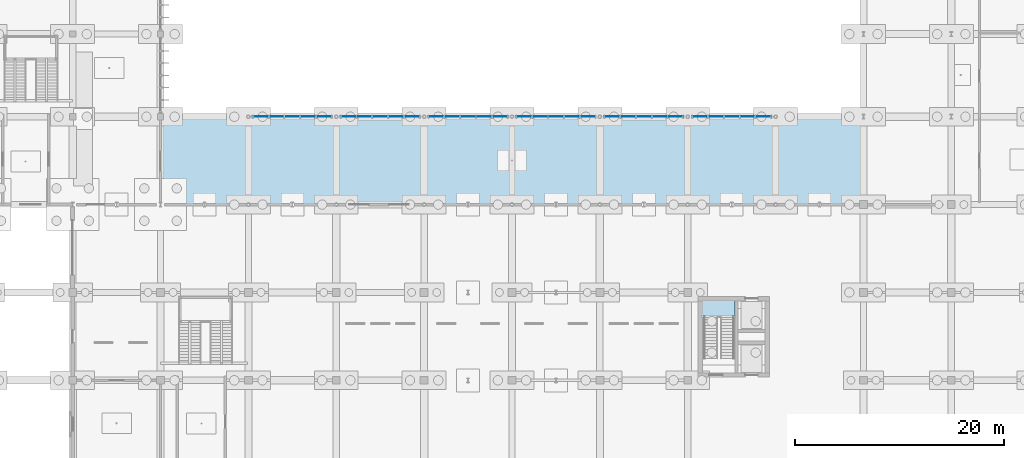
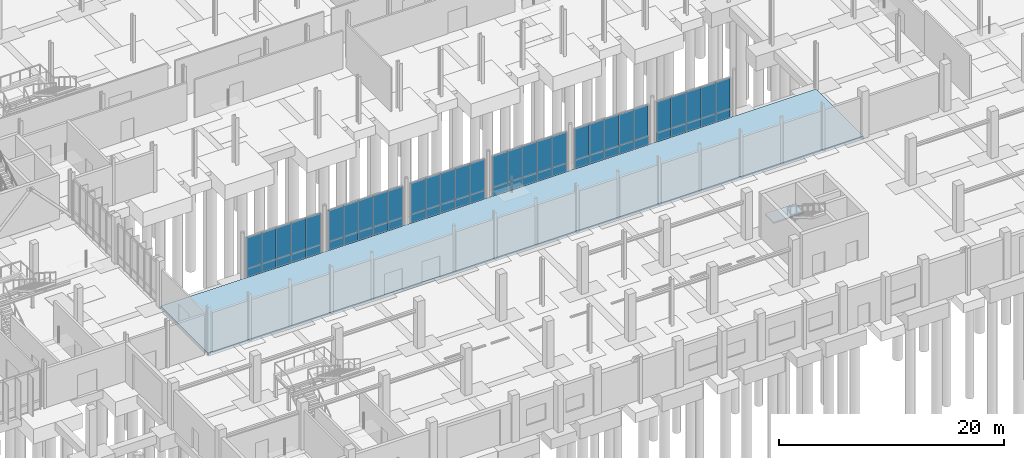
# One storey, part 68 of 119: 60 plates, 2 slabs, 7 elements without a shape of their own.
"""IFC4 building model written with IfcOpenShell, lengths in metres."""

import ifcopenshell
import ifcopenshell.guid

model = None  # the IFC model being written
_history = None  # IfcOwnerHistory: only IFC2X3 demands one
_inside = {}  # id of a spatial element -> (the spatial element, [elements in it])
_under = {}  # id of a project, library or spatial element -> (it, [spatial elements below it])
_declared = {}  # id of a project -> (the project, [libraries it declares])
_typed = {}  # id of a type object -> (the type object, [elements of that type])
_made_of = {}  # id of a material, layer set ... -> (it, [elements and type objects made of it])


def new_model(schema):
    """Start an empty IFC model of exactly this schema.

    Asked for "IFC4X3", IfcOpenShell would pick the latest addendum, in which some entities
    have other attributes; the version numbers below select the first issue.
    IFC2X3 requires an IfcOwnerHistory on every rooted entity: one is made here for all.
    """
    global model, _history
    if schema == "IFC4X3":
        model = ifcopenshell.file(schema_version=(4, 3, 0, 0))
    else:
        model = ifcopenshell.file(schema=schema)
    _inside.clear()
    _under.clear()
    _declared.clear()
    _typed.clear()
    _made_of.clear()
    _history = None
    if model.schema == "IFC2X3":
        org = make("IfcOrganization", Name="unknown")
        user = make(
            "IfcPersonAndOrganization",
            ThePerson=make("IfcPerson", FamilyName="unknown"),
            TheOrganization=org,
        )
        app = make(
            "IfcApplication",
            ApplicationDeveloper=org,
            Version="unknown",
            ApplicationFullName="unknown",
            ApplicationIdentifier="unknown",
        )
        _history = make(
            "IfcOwnerHistory",
            OwningUser=user,
            OwningApplication=app,
            ChangeAction="ADDED",
            CreationDate=0,
        )
    return model


def make(cls, **values):
    """One entity of the class cls with the attributes given. An attribute that is None is left unset."""
    return model.create_entity(
        cls, **{name: value for name, value in values.items() if value is not None}
    )


def rooted(cls, **values):
    """An entity with a GlobalId (a new one), such as an element, a storey or a relation."""
    return make(cls, GlobalId=ifcopenshell.guid.new(), OwnerHistory=_history, **values)


def si_unit(unit_type, name, prefix=None):
    """IfcSIUnit, for example si_unit("LENGTHUNIT", "METRE", prefix="MILLI")."""
    return make("IfcSIUnit", UnitType=unit_type, Prefix=prefix, Name=name)


def derived_unit(unit_type, elements):
    """IfcDerivedUnit: a product of units, each with its exponent."""
    return make(
        "IfcDerivedUnit",
        Elements=[
            make("IfcDerivedUnitElement", Unit=unit, Exponent=power)
            for unit, power in elements
        ],
        UnitType=unit_type,
    )


def assignment(units):
    """IfcUnitAssignment: the units of a project."""
    return None if units is None else make("IfcUnitAssignment", Units=units)


def point(xyz):
    """IfcCartesianPoint."""
    return None if xyz is None else make("IfcCartesianPoint", Coordinates=xyz)


def direction(xyz):
    """IfcDirection."""
    return None if xyz is None else make("IfcDirection", DirectionRatios=xyz)


def frame(location, z_axis=None, x_axis=None):
    """IfcAxis2Placement3D, a coordinate frame: its origin and axes. An axis left out is left unset."""
    return make(
        "IfcAxis2Placement3D",
        Location=point(location),
        Axis=direction(z_axis),
        RefDirection=direction(x_axis),
    )


def frame_2d(location, x_axis=None):
    """IfcAxis2Placement2D, a coordinate frame in the plane: its origin and x axis."""
    return make(
        "IfcAxis2Placement2D", Location=point(location), RefDirection=direction(x_axis)
    )


def origin():
    """The frame at (0, 0, 0) with its axes left unset."""
    return frame((0.0, 0.0, 0.0))


def origin_2d():
    """The frame at (0, 0) in the plane with its x axis left unset."""
    return frame_2d((0.0, 0.0))


def place(relative_to, where):
    """IfcLocalPlacement: puts the frame where relative to a parent placement (None: the world)."""
    return make(
        "IfcLocalPlacement", PlacementRelTo=relative_to, RelativePlacement=where
    )


def context(
    kind, dimensions, precision=None, world=None, true_north=None, identifier=None
):
    """IfcGeometricRepresentationContext, for example the 3D "Model" context."""
    return make(
        "IfcGeometricRepresentationContext",
        ContextIdentifier=identifier,
        ContextType=kind,
        CoordinateSpaceDimension=dimensions,
        Precision=precision,
        WorldCoordinateSystem=world,
        TrueNorth=true_north,
    )


def subcontext(parent, identifier, kind, view, scale=None):
    """IfcGeometricRepresentationSubContext, for example "Body" below "Model"."""
    return make(
        "IfcGeometricRepresentationSubContext",
        ContextIdentifier=identifier,
        ContextType=kind,
        ParentContext=parent,
        TargetScale=scale,
        TargetView=view,
    )


def project(units=None, contexts=None):
    """IfcProject with its units and contexts."""
    return rooted(
        "IfcProject",
        Name="project",
        RepresentationContexts=contexts,
        UnitsInContext=assignment(units),
    )


def spatial(cls, under=None, at=None, **own):
    """A site, building, storey or space (cls), placed at a placement, below another one or the project."""
    s = rooted(cls, ObjectPlacement=at, **own)
    if under is not None:
        _under.setdefault(under.id(), (under, []))[1].append(s)
    return s


def polyline(points):
    """IfcPolyline through the points."""
    return make("IfcPolyline", Points=[point(p) for p in points])


def profile(cls, at=None, kind="AREA", **sizes):
    """A parametric profile (cls). Its sizes go by their IFC names, for example OverallWidth=200.0."""
    return make(cls, ProfileType=kind, Position=at, **sizes)


def rectangle(**sizes):
    """IfcRectangleProfileDef."""
    return profile("IfcRectangleProfileDef", **sizes)


def outline(outer, holes=None, kind="AREA"):
    """IfcArbitraryClosedProfileDef: a profile drawn as a closed curve; with holes, ...WithVoids."""
    if holes is None:
        return make("IfcArbitraryClosedProfileDef", ProfileType=kind, OuterCurve=outer)
    return make(
        "IfcArbitraryProfileDefWithVoids",
        ProfileType=kind,
        OuterCurve=outer,
        InnerCurves=holes,
    )


def extrude(swept, where, along, depth):
    """IfcExtrudedAreaSolid: the profile swept, set in the frame where, extruded along a direction by depth."""
    return make(
        "IfcExtrudedAreaSolid",
        SweptArea=swept,
        Position=where,
        ExtrudedDirection=direction(along),
        Depth=depth,
    )


def shape(context_of_items, identifier, shape_type, items):
    """IfcShapeRepresentation: the items that make up one representation, for example the "Body"."""
    return make(
        "IfcShapeRepresentation",
        ContextOfItems=context_of_items,
        RepresentationIdentifier=identifier,
        RepresentationType=shape_type,
        Items=items,
    )


def material(Name=None, Category=None):
    """IfcMaterial."""
    return make("IfcMaterial", Name=Name, Category=Category)


def layer(
    of_material, thickness, ventilated=None, Name=None, Category=None, Priority=None
):
    """IfcMaterialLayer: one layer of a wall or slab, of a material (None: an air gap)."""
    return make(
        "IfcMaterialLayer",
        Material=of_material,
        LayerThickness=thickness,
        IsVentilated=ventilated,
        Name=Name,
        Category=Category,
        Priority=Priority,
    )


def layer_set(layers, Name=None):
    """IfcMaterialLayerSet."""
    return make("IfcMaterialLayerSet", MaterialLayers=layers, LayerSetName=Name)


def made_of(thing, what):
    """Note that an element or type object is made of a material, layer set ...; save() writes the relation."""
    if what is not None:
        _made_of.setdefault(what.id(), (what, []))[1].append(thing)
    return thing


def type_object(cls, material=None, **own):
    """A type object (cls), such as IfcWallType, which elements share."""
    return made_of(rooted(cls, **own), material)


def element(
    cls,
    number,
    at=None,
    inside=None,
    cuts=None,
    type_object=None,
    material=None,
    context=None,
    identifier="Body",
    shape_type=None,
    held_by="IfcProductDefinitionShape",
    body=None,
    shapes=None,
    **own,
):
    """One element of the class cls, such as IfcWall. Its Tag is "e" and its number.

    at: its placement. inside: the storey or other place that contains it. cuts: it is an
    opening in that element (IfcRelVoidsElement). A single representation is given by context,
    identifier, shape_type and body (its items); several are given by shapes. held_by: the class
    of the entity that holds the representations. save() writes the other relations.
    """
    e = rooted(cls, Tag="e%d" % number, ObjectPlacement=at, **own)
    if body is not None:
        shapes = [shape(context, identifier, shape_type, body)]
    if shapes is not None:
        e.Representation = make(held_by, Representations=shapes)
    if inside is not None:
        _inside.setdefault(inside.id(), (inside, []))[1].append(e)
    if cuts is not None:
        rooted(
            "IfcRelVoidsElement", RelatingBuildingElement=cuts, RelatedOpeningElement=e
        )
    if type_object is not None:
        _typed.setdefault(type_object.id(), (type_object, []))[1].append(e)
    return made_of(e, material)


def aggregate(whole, parts):
    """IfcRelAggregates: a whole, such as a stair, and the parts it consists of."""
    return rooted("IfcRelAggregates", RelatingObject=whole, RelatedObjects=parts)


def save(model, path):
    """Write the relations noted so far, then the file.

    IfcRelAggregates (storeys below a building ...), IfcRelContainedInSpatialStructure (elements
    in a storey), IfcRelDefinesByType, IfcRelAssociatesMaterial and IfcRelDeclares: one each for
    every whole, place, type object, material and project.
    """
    for whole, parts in _under.values():
        aggregate(whole, parts)
    for where, things in _inside.values():
        rooted(
            "IfcRelContainedInSpatialStructure",
            RelatedElements=things,
            RelatingStructure=where,
        )
    for kind, things in _typed.values():
        rooted("IfcRelDefinesByType", RelatedObjects=things, RelatingType=kind)
    for what, things in _made_of.values():
        rooted("IfcRelAssociatesMaterial", RelatedObjects=things, RelatingMaterial=what)
    for by, libraries in _declared.values():
        rooted("IfcRelDeclares", RelatingContext=by, RelatedDefinitions=libraries)
    model.write(path)


model = new_model("IFC4")

# Units and contexts
model_context = context("Model", 3, precision=1e-05, world=origin(), true_north=direction((0.0, 1.0)))
body_context = subcontext(model_context, "Body", "Model", "MODEL_VIEW")
ifc_project = project(units=[si_unit("LENGTHUNIT", "METRE"), si_unit("AREAUNIT", "SQUARE_METRE"), si_unit("VOLUMEUNIT", "CUBIC_METRE"), si_unit("PLANEANGLEUNIT", "RADIAN"), si_unit("MASSUNIT", "GRAM", prefix="KILO"), derived_unit("THERMALTRANSMITTANCEUNIT", [(si_unit("MASSUNIT", "GRAM", prefix="KILO"), 1), (si_unit("TIMEUNIT", "SECOND"), -3), (si_unit("THERMODYNAMICTEMPERATUREUNIT", "KELVIN"), -1)])], contexts=[model_context])

# Site, building, storey
site_placement = place(None, origin())
site = spatial("IfcSite", under=ifc_project, at=site_placement, CompositionType="ELEMENT")
building_placement = place(site_placement, origin())
building = spatial("IfcBuilding", under=site, at=building_placement, Name="Makaiwela Harbour Ferry Terminal", CompositionType="ELEMENT")
storey_placement = place(building_placement, origin())
storey = spatial("IfcBuildingStorey", under=building, at=storey_placement, Name="L00", CompositionType="ELEMENT", Elevation=0.0)

# Curtain wall, plates
ifc_material_1 = material(Name="Marine anodised aluminium 6063-T6", Category="aluminium")
ifc_layer_1 = layer(ifc_material_1, 0.199951171875)
ifc_layer_set_1 = layer_set([ifc_layer_1], Name="Marine anodised aluminium 6063-T6")
curtain_wall_type = type_object("IfcCurtainWallType", Name="ENV-CW-10", PredefinedType="USERDEFINED", material=ifc_layer_set_1)
curtain_wall_1_placement = place(storey_placement, origin())
curtain_wall_1 = element("IfcCurtainWall", 1, at=curtain_wall_1_placement, inside=storey, type_object=curtain_wall_type, Name="Unitised Curtain Wall CWA-140", ObjectType="UNITIZED CURTAIN WALL", PredefinedType="USERDEFINED")
ifc_material_2 = material(Name="Laminated hurricane-impact low-E insulated glazing", Category="glass")
ifc_layer_2 = layer(ifc_material_2, 0.031982421875)
ifc_layer_set_2 = layer_set([ifc_layer_2], Name="Laminated hurricane-impact low-E insulated glazing")
plate_type_1 = type_object("IfcPlateType", Name="CW-PNL-G31", PredefinedType="CURTAIN_PANEL", material=ifc_layer_set_2)
plate_1_placement = place(storey_placement, frame((87.02392578125, 33.60009765625, 0.949951171875), z_axis=(0.0, 0.0, 1.0), x_axis=(-1.0, 0.0, 0.0)))
plate_1 = element("IfcPlate", 2, at=plate_1_placement, type_object=plate_type_1, Name="Glazed Vision Panel CWA-140-1G", PredefinedType="CURTAIN_PANEL", context=body_context, shape_type="SweptSolid", body=[
    extrude(rectangle(XDim=1.511962890625, YDim=0.031982421875, at=origin_2d()), origin(), (0.0, 0.0, 1.0), 3.39990234375),
])
plate_2_placement = place(storey_placement, frame((85.511962890625, 33.60009765625, 0.949951171875), z_axis=(0.0, 0.0, 1.0), x_axis=(-1.0, 0.0, 0.0)))
plate_2 = element("IfcPlate", 3, at=plate_2_placement, type_object=plate_type_1, Name="Glazed Vision Panel CWA-140-2G", PredefinedType="CURTAIN_PANEL", context=body_context, shape_type="SweptSolid", body=[
    extrude(rectangle(XDim=1.511962890625, YDim=0.031982421875, at=origin_2d()), origin(), (0.0, 0.0, 1.0), 3.39990234375),
])
plate_3_placement = place(storey_placement, frame((84.0, 33.60009765625, 0.949951171875), z_axis=(0.0, 0.0, 1.0), x_axis=(-1.0, 0.0, 0.0)))
plate_3 = element("IfcPlate", 4, at=plate_3_placement, type_object=plate_type_1, Name="Glazed Vision Panel CWA-140-3G", PredefinedType="CURTAIN_PANEL", context=body_context, shape_type="SweptSolid", body=[
    extrude(rectangle(XDim=1.511962890625, YDim=0.031982421875, at=origin_2d()), origin(), (0.0, 0.0, 1.0), 3.39990234375),
])
plate_4_placement = place(storey_placement, frame((82.488037109375, 33.60009765625, 0.949951171875), z_axis=(0.0, 0.0, 1.0), x_axis=(-1.0, 0.0, 0.0)))
plate_4 = element("IfcPlate", 5, at=plate_4_placement, type_object=plate_type_1, Name="Glazed Vision Panel CWA-140-4G", PredefinedType="CURTAIN_PANEL", context=body_context, shape_type="SweptSolid", body=[
    extrude(rectangle(XDim=1.511962890625, YDim=0.031982421875, at=origin_2d()), origin(), (0.0, 0.0, 1.0), 3.39990234375),
])
plate_5_placement = place(storey_placement, frame((80.97607421875, 33.60009765625, 0.949951171875), z_axis=(0.0, 0.0, 1.0), x_axis=(-1.0, 0.0, 0.0)))
plate_5 = element("IfcPlate", 6, at=plate_5_placement, type_object=plate_type_1, Name="Glazed Vision Panel CWA-140-5G", PredefinedType="CURTAIN_PANEL", context=body_context, shape_type="SweptSolid", body=[
    extrude(rectangle(XDim=1.511962890625, YDim=0.031982421875, at=origin_2d()), origin(), (0.0, 0.0, 1.0), 3.39990234375),
])

curtain_wall_2_placement = place(storey_placement, origin())
curtain_wall_2 = element("IfcCurtainWall", 7, at=curtain_wall_2_placement, inside=storey, type_object=curtain_wall_type, Name="Unitised Curtain Wall CWA-142", ObjectType="UNITIZED CURTAIN WALL", PredefinedType="USERDEFINED")
plate_6_placement = place(storey_placement, frame((95.424072265625, 33.60009765625, 0.949951171875), z_axis=(0.0, 0.0, 1.0), x_axis=(-1.0, 0.0, 0.0)))
plate_6 = element("IfcPlate", 8, at=plate_6_placement, type_object=plate_type_1, Name="Glazed Vision Panel CWA-142-1G", PredefinedType="CURTAIN_PANEL", context=body_context, shape_type="SweptSolid", body=[
    extrude(rectangle(XDim=1.511962890625, YDim=0.031982421875, at=origin_2d()), origin(), (0.0, 0.0, 1.0), 3.39990234375),
])
plate_7_placement = place(storey_placement, frame((93.912109375, 33.60009765625, 0.949951171875), z_axis=(0.0, 0.0, 1.0), x_axis=(-1.0, 0.0, 0.0)))
plate_7 = element("IfcPlate", 9, at=plate_7_placement, type_object=plate_type_1, Name="Glazed Vision Panel CWA-142-2G", PredefinedType="CURTAIN_PANEL", context=body_context, shape_type="SweptSolid", body=[
    extrude(rectangle(XDim=1.511962890625, YDim=0.031982421875, at=origin_2d()), origin(), (0.0, 0.0, 1.0), 3.39990234375),
])
plate_8_placement = place(storey_placement, frame((92.39990234375, 33.60009765625, 0.949951171875), z_axis=(0.0, 0.0, 1.0), x_axis=(-1.0, 0.0, 0.0)))
plate_8 = element("IfcPlate", 10, at=plate_8_placement, type_object=plate_type_1, Name="Glazed Vision Panel CWA-142-3G", PredefinedType="CURTAIN_PANEL", context=body_context, shape_type="SweptSolid", body=[
    extrude(rectangle(XDim=1.511962890625, YDim=0.031982421875, at=origin_2d()), origin(), (0.0, 0.0, 1.0), 3.39990234375),
])
plate_9_placement = place(storey_placement, frame((90.887939453125, 33.60009765625, 0.949951171875), z_axis=(0.0, 0.0, 1.0), x_axis=(-1.0, 0.0, 0.0)))
plate_9 = element("IfcPlate", 11, at=plate_9_placement, type_object=plate_type_1, Name="Glazed Vision Panel CWA-142-4G", PredefinedType="CURTAIN_PANEL", context=body_context, shape_type="SweptSolid", body=[
    extrude(rectangle(XDim=1.511962890625, YDim=0.031982421875, at=origin_2d()), origin(), (0.0, 0.0, 1.0), 3.39990234375),
])
plate_10_placement = place(storey_placement, frame((89.3759765625, 33.60009765625, 0.949951171875), z_axis=(0.0, 0.0, 1.0), x_axis=(-1.0, 0.0, 0.0)))
plate_10 = element("IfcPlate", 12, at=plate_10_placement, type_object=plate_type_1, Name="Glazed Vision Panel CWA-142-5G", PredefinedType="CURTAIN_PANEL", context=body_context, shape_type="SweptSolid", body=[
    extrude(rectangle(XDim=1.511962890625, YDim=0.031982421875, at=origin_2d()), origin(), (0.0, 0.0, 1.0), 3.39990234375),
])

curtain_wall_3_placement = place(storey_placement, origin())
curtain_wall_3 = element("IfcCurtainWall", 13, at=curtain_wall_3_placement, inside=storey, type_object=curtain_wall_type, Name="Unitised Curtain Wall CWA-144", ObjectType="UNITIZED CURTAIN WALL", PredefinedType="USERDEFINED")
plate_11_placement = place(storey_placement, frame((103.823974609375, 33.60009765625, 0.949951171875), z_axis=(0.0, 0.0, 1.0), x_axis=(-1.0, 0.0, 0.0)))
plate_11 = element("IfcPlate", 14, at=plate_11_placement, type_object=plate_type_1, Name="Glazed Vision Panel CWA-144-1G", PredefinedType="CURTAIN_PANEL", context=body_context, shape_type="SweptSolid", body=[
    extrude(rectangle(XDim=1.511962890625, YDim=0.031982421875, at=origin_2d()), origin(), (0.0, 0.0, 1.0), 3.39990234375),
])
plate_12_placement = place(storey_placement, frame((102.31201171875, 33.60009765625, 0.949951171875), z_axis=(0.0, 0.0, 1.0), x_axis=(-1.0, 0.0, 0.0)))
plate_12 = element("IfcPlate", 15, at=plate_12_placement, type_object=plate_type_1, Name="Glazed Vision Panel CWA-144-2G", PredefinedType="CURTAIN_PANEL", context=body_context, shape_type="SweptSolid", body=[
    extrude(rectangle(XDim=1.511962890625, YDim=0.031982421875, at=origin_2d()), origin(), (0.0, 0.0, 1.0), 3.39990234375),
])
plate_13_placement = place(storey_placement, frame((100.800048828125, 33.60009765625, 0.949951171875), z_axis=(0.0, 0.0, 1.0), x_axis=(-1.0, 0.0, 0.0)))
plate_13 = element("IfcPlate", 16, at=plate_13_placement, type_object=plate_type_1, Name="Glazed Vision Panel CWA-144-3G", PredefinedType="CURTAIN_PANEL", context=body_context, shape_type="SweptSolid", body=[
    extrude(rectangle(XDim=1.511962890625, YDim=0.031982421875, at=origin_2d()), origin(), (0.0, 0.0, 1.0), 3.39990234375),
])
plate_14_placement = place(storey_placement, frame((99.2880859375, 33.60009765625, 0.949951171875), z_axis=(0.0, 0.0, 1.0), x_axis=(-1.0, 0.0, 0.0)))
plate_14 = element("IfcPlate", 17, at=plate_14_placement, type_object=plate_type_1, Name="Glazed Vision Panel CWA-144-4G", PredefinedType="CURTAIN_PANEL", context=body_context, shape_type="SweptSolid", body=[
    extrude(rectangle(XDim=1.511962890625, YDim=0.031982421875, at=origin_2d()), origin(), (0.0, 0.0, 1.0), 3.39990234375),
])
plate_15_placement = place(storey_placement, frame((97.77587890625, 33.60009765625, 0.949951171875), z_axis=(0.0, 0.0, 1.0), x_axis=(-1.0, 0.0, 0.0)))
plate_15 = element("IfcPlate", 18, at=plate_15_placement, type_object=plate_type_1, Name="Glazed Vision Panel CWA-144-5G", PredefinedType="CURTAIN_PANEL", context=body_context, shape_type="SweptSolid", body=[
    extrude(rectangle(XDim=1.511962890625, YDim=0.031982421875, at=origin_2d()), origin(), (0.0, 0.0, 1.0), 3.39990234375),
])

curtain_wall_4_placement = place(storey_placement, origin())
curtain_wall_4 = element("IfcCurtainWall", 19, at=curtain_wall_4_placement, inside=storey, type_object=curtain_wall_type, Name="Unitised Curtain Wall CWA-146", ObjectType="UNITIZED CURTAIN WALL", PredefinedType="USERDEFINED")
plate_16_placement = place(storey_placement, frame((112.22412109375, 33.60009765625, 0.949951171875), z_axis=(0.0, 0.0, 1.0), x_axis=(-1.0, 0.0, 0.0)))
plate_16 = element("IfcPlate", 20, at=plate_16_placement, type_object=plate_type_1, Name="Glazed Vision Panel CWA-146-1G", PredefinedType="CURTAIN_PANEL", context=body_context, shape_type="SweptSolid", body=[
    extrude(rectangle(XDim=1.511962890625, YDim=0.031982421875, at=origin_2d()), origin(), (0.0, 0.0, 1.0), 3.39990234375),
])
plate_17_placement = place(storey_placement, frame((110.7119140625, 33.60009765625, 0.949951171875), z_axis=(0.0, 0.0, 1.0), x_axis=(-1.0, 0.0, 0.0)))
plate_17 = element("IfcPlate", 21, at=plate_17_placement, type_object=plate_type_1, Name="Glazed Vision Panel CWA-146-2G", PredefinedType="CURTAIN_PANEL", context=body_context, shape_type="SweptSolid", body=[
    extrude(rectangle(XDim=1.511962890625, YDim=0.031982421875, at=origin_2d()), origin(), (0.0, 0.0, 1.0), 3.39990234375),
])
plate_18_placement = place(storey_placement, frame((109.199951171875, 33.60009765625, 0.949951171875), z_axis=(0.0, 0.0, 1.0), x_axis=(-1.0, 0.0, 0.0)))
plate_18 = element("IfcPlate", 22, at=plate_18_placement, type_object=plate_type_1, Name="Glazed Vision Panel CWA-146-3G", PredefinedType="CURTAIN_PANEL", context=body_context, shape_type="SweptSolid", body=[
    extrude(rectangle(XDim=1.511962890625, YDim=0.031982421875, at=origin_2d()), origin(), (0.0, 0.0, 1.0), 3.39990234375),
])
plate_19_placement = place(storey_placement, frame((107.68798828125, 33.60009765625, 0.949951171875), z_axis=(0.0, 0.0, 1.0), x_axis=(-1.0, 0.0, 0.0)))
plate_19 = element("IfcPlate", 23, at=plate_19_placement, type_object=plate_type_1, Name="Glazed Vision Panel CWA-146-4G", PredefinedType="CURTAIN_PANEL", context=body_context, shape_type="SweptSolid", body=[
    extrude(rectangle(XDim=1.511962890625, YDim=0.031982421875, at=origin_2d()), origin(), (0.0, 0.0, 1.0), 3.39990234375),
])
plate_20_placement = place(storey_placement, frame((106.176025390625, 33.60009765625, 0.949951171875), z_axis=(0.0, 0.0, 1.0), x_axis=(-1.0, 0.0, 0.0)))
plate_20 = element("IfcPlate", 24, at=plate_20_placement, type_object=plate_type_1, Name="Glazed Vision Panel CWA-146-5G", PredefinedType="CURTAIN_PANEL", context=body_context, shape_type="SweptSolid", body=[
    extrude(rectangle(XDim=1.511962890625, YDim=0.031982421875, at=origin_2d()), origin(), (0.0, 0.0, 1.0), 3.39990234375),
])

curtain_wall_5_placement = place(storey_placement, origin())
curtain_wall_5 = element("IfcCurtainWall", 25, at=curtain_wall_5_placement, inside=storey, type_object=curtain_wall_type, Name="Unitised Curtain Wall CWA-148", ObjectType="UNITIZED CURTAIN WALL", PredefinedType="USERDEFINED")
plate_21_placement = place(storey_placement, frame((120.6240234375, 33.60009765625, 0.949951171875), z_axis=(0.0, 0.0, 1.0), x_axis=(-1.0, 0.0, 0.0)))
plate_21 = element("IfcPlate", 26, at=plate_21_placement, type_object=plate_type_1, Name="Glazed Vision Panel CWA-148-1G", PredefinedType="CURTAIN_PANEL", context=body_context, shape_type="SweptSolid", body=[
    extrude(rectangle(XDim=1.511962890625, YDim=0.031982421875, at=origin_2d()), origin(), (0.0, 0.0, 1.0), 3.39990234375),
])
plate_22_placement = place(storey_placement, frame((119.112060546875, 33.60009765625, 0.949951171875), z_axis=(0.0, 0.0, 1.0), x_axis=(-1.0, 0.0, 0.0)))
plate_22 = element("IfcPlate", 27, at=plate_22_placement, type_object=plate_type_1, Name="Glazed Vision Panel CWA-148-2G", PredefinedType="CURTAIN_PANEL", context=body_context, shape_type="SweptSolid", body=[
    extrude(rectangle(XDim=1.511962890625, YDim=0.031982421875, at=origin_2d()), origin(), (0.0, 0.0, 1.0), 3.39990234375),
])
plate_23_placement = place(storey_placement, frame((117.60009765625, 33.60009765625, 0.949951171875), z_axis=(0.0, 0.0, 1.0), x_axis=(-1.0, 0.0, 0.0)))
plate_23 = element("IfcPlate", 28, at=plate_23_placement, type_object=plate_type_1, Name="Glazed Vision Panel CWA-148-3G", PredefinedType="CURTAIN_PANEL", context=body_context, shape_type="SweptSolid", body=[
    extrude(rectangle(XDim=1.511962890625, YDim=0.031982421875, at=origin_2d()), origin(), (0.0, 0.0, 1.0), 3.39990234375),
])
plate_24_placement = place(storey_placement, frame((116.087890625, 33.60009765625, 0.949951171875), z_axis=(0.0, 0.0, 1.0), x_axis=(-1.0, 0.0, 0.0)))
plate_24 = element("IfcPlate", 29, at=plate_24_placement, type_object=plate_type_1, Name="Glazed Vision Panel CWA-148-4G", PredefinedType="CURTAIN_PANEL", context=body_context, shape_type="SweptSolid", body=[
    extrude(rectangle(XDim=1.511962890625, YDim=0.031982421875, at=origin_2d()), origin(), (0.0, 0.0, 1.0), 3.39990234375),
])
plate_25_placement = place(storey_placement, frame((114.575927734375, 33.60009765625, 0.949951171875), z_axis=(0.0, 0.0, 1.0), x_axis=(-1.0, 0.0, 0.0)))
plate_25 = element("IfcPlate", 30, at=plate_25_placement, type_object=plate_type_1, Name="Glazed Vision Panel CWA-148-5G", PredefinedType="CURTAIN_PANEL", context=body_context, shape_type="SweptSolid", body=[
    extrude(rectangle(XDim=1.511962890625, YDim=0.031982421875, at=origin_2d()), origin(), (0.0, 0.0, 1.0), 3.39990234375),
])

curtain_wall_6_placement = place(storey_placement, origin())
curtain_wall_6 = element("IfcCurtainWall", 31, at=curtain_wall_6_placement, inside=storey, type_object=curtain_wall_type, Name="Unitised Curtain Wall CWA-150", ObjectType="UNITIZED CURTAIN WALL", PredefinedType="USERDEFINED")
plate_26_placement = place(storey_placement, frame((129.02392578125, 33.60009765625, 0.949951171875), z_axis=(0.0, 0.0, 1.0), x_axis=(-1.0, 0.0, 0.0)))
plate_26 = element("IfcPlate", 32, at=plate_26_placement, type_object=plate_type_1, Name="Glazed Vision Panel CWA-150-1G", PredefinedType="CURTAIN_PANEL", context=body_context, shape_type="SweptSolid", body=[
    extrude(rectangle(XDim=1.511962890625, YDim=0.031982421875, at=origin_2d()), origin(), (0.0, 0.0, 1.0), 3.39990234375),
])
plate_27_placement = place(storey_placement, frame((127.511962890625, 33.60009765625, 0.949951171875), z_axis=(0.0, 0.0, 1.0), x_axis=(-1.0, 0.0, 0.0)))
plate_27 = element("IfcPlate", 33, at=plate_27_placement, type_object=plate_type_1, Name="Glazed Vision Panel CWA-150-2G", PredefinedType="CURTAIN_PANEL", context=body_context, shape_type="SweptSolid", body=[
    extrude(rectangle(XDim=1.511962890625, YDim=0.031982421875, at=origin_2d()), origin(), (0.0, 0.0, 1.0), 3.39990234375),
])
plate_28_placement = place(storey_placement, frame((126.0, 33.60009765625, 0.949951171875), z_axis=(0.0, 0.0, 1.0), x_axis=(-1.0, 0.0, 0.0)))
plate_28 = element("IfcPlate", 34, at=plate_28_placement, type_object=plate_type_1, Name="Glazed Vision Panel CWA-150-3G", PredefinedType="CURTAIN_PANEL", context=body_context, shape_type="SweptSolid", body=[
    extrude(rectangle(XDim=1.511962890625, YDim=0.031982421875, at=origin_2d()), origin(), (0.0, 0.0, 1.0), 3.39990234375),
])
plate_29_placement = place(storey_placement, frame((124.488037109375, 33.60009765625, 0.949951171875), z_axis=(0.0, 0.0, 1.0), x_axis=(-1.0, 0.0, 0.0)))
plate_29 = element("IfcPlate", 35, at=plate_29_placement, type_object=plate_type_1, Name="Glazed Vision Panel CWA-150-4G", PredefinedType="CURTAIN_PANEL", context=body_context, shape_type="SweptSolid", body=[
    extrude(rectangle(XDim=1.511962890625, YDim=0.031982421875, at=origin_2d()), origin(), (0.0, 0.0, 1.0), 3.39990234375),
])
plate_30_placement = place(storey_placement, frame((122.97607421875, 33.60009765625, 0.949951171875), z_axis=(0.0, 0.0, 1.0), x_axis=(-1.0, 0.0, 0.0)))
plate_30 = element("IfcPlate", 36, at=plate_30_placement, type_object=plate_type_1, Name="Glazed Vision Panel CWA-150-5G", PredefinedType="CURTAIN_PANEL", context=body_context, shape_type="SweptSolid", body=[
    extrude(rectangle(XDim=1.511962890625, YDim=0.031982421875, at=origin_2d()), origin(), (0.0, 0.0, 1.0), 3.39990234375),
])

# Plate
ifc_material_3 = material(Name="Insulated marine aluminium spandrel panel", Category="aluminium")
ifc_layer_3 = layer(ifc_material_3, 0.048095703125)
ifc_layer_set_3 = layer_set([ifc_layer_3], Name="Insulated marine aluminium spandrel panel")
plate_type_2 = type_object("IfcPlateType", Name="CW-PNL-S30", PredefinedType="CURTAIN_PANEL", material=ifc_layer_set_3)
plate_31_placement = place(storey_placement, frame((87.02392578125, 33.60009765625, 0.0), z_axis=(0.0, 0.0, 1.0), x_axis=(-1.0, 0.0, 0.0)))
plate_31 = element("IfcPlate", 37, at=plate_31_placement, type_object=plate_type_2, Name="Spandrel Panel CWA-140-1S", PredefinedType="CURTAIN_PANEL", context=body_context, shape_type="SweptSolid", body=[
    extrude(rectangle(XDim=1.511962890625, YDim=0.048095703125, at=origin_2d()), origin(), (0.0, 0.0, 1.0), 0.949951171875),
])

plate_32_placement = place(storey_placement, frame((85.511962890625, 33.60009765625, 0.0), z_axis=(0.0, 0.0, 1.0), x_axis=(-1.0, 0.0, 0.0)))
plate_32 = element("IfcPlate", 38, at=plate_32_placement, type_object=plate_type_2, Name="Spandrel Panel CWA-140-2S", PredefinedType="CURTAIN_PANEL", context=body_context, shape_type="SweptSolid", body=[
    extrude(rectangle(XDim=1.511962890625, YDim=0.048095703125, at=origin_2d()), origin(), (0.0, 0.0, 1.0), 0.949951171875),
])

plate_33_placement = place(storey_placement, frame((84.0, 33.60009765625, 0.0), z_axis=(0.0, 0.0, 1.0), x_axis=(-1.0, 0.0, 0.0)))
plate_33 = element("IfcPlate", 39, at=plate_33_placement, type_object=plate_type_2, Name="Spandrel Panel CWA-140-3S", PredefinedType="CURTAIN_PANEL", context=body_context, shape_type="SweptSolid", body=[
    extrude(rectangle(XDim=1.511962890625, YDim=0.048095703125, at=origin_2d()), origin(), (0.0, 0.0, 1.0), 0.949951171875),
])

plate_34_placement = place(storey_placement, frame((82.488037109375, 33.60009765625, 0.0), z_axis=(0.0, 0.0, 1.0), x_axis=(-1.0, 0.0, 0.0)))
plate_34 = element("IfcPlate", 40, at=plate_34_placement, type_object=plate_type_2, Name="Spandrel Panel CWA-140-4S", PredefinedType="CURTAIN_PANEL", context=body_context, shape_type="SweptSolid", body=[
    extrude(rectangle(XDim=1.511962890625, YDim=0.048095703125, at=origin_2d()), origin(), (0.0, 0.0, 1.0), 0.949951171875),
])

plate_35_placement = place(storey_placement, frame((80.97607421875, 33.60009765625, 0.0), z_axis=(0.0, 0.0, 1.0), x_axis=(-1.0, 0.0, 0.0)))
plate_35 = element("IfcPlate", 41, at=plate_35_placement, type_object=plate_type_2, Name="Spandrel Panel CWA-140-5S", PredefinedType="CURTAIN_PANEL", context=body_context, shape_type="SweptSolid", body=[
    extrude(rectangle(XDim=1.511962890625, YDim=0.048095703125, at=origin_2d()), origin(), (0.0, 0.0, 1.0), 0.949951171875),
])

aggregate(curtain_wall_1, [plate_31, plate_1, plate_32, plate_2, plate_33, plate_3, plate_34, plate_4, plate_35, plate_5])

plate_36_placement = place(storey_placement, frame((95.424072265625, 33.60009765625, 0.0), z_axis=(0.0, 0.0, 1.0), x_axis=(-1.0, 0.0, 0.0)))
plate_36 = element("IfcPlate", 42, at=plate_36_placement, type_object=plate_type_2, Name="Spandrel Panel CWA-142-1S", PredefinedType="CURTAIN_PANEL", context=body_context, shape_type="SweptSolid", body=[
    extrude(rectangle(XDim=1.511962890625, YDim=0.048095703125, at=origin_2d()), origin(), (0.0, 0.0, 1.0), 0.949951171875),
])

plate_37_placement = place(storey_placement, frame((93.912109375, 33.60009765625, 0.0), z_axis=(0.0, 0.0, 1.0), x_axis=(-1.0, 0.0, 0.0)))
plate_37 = element("IfcPlate", 43, at=plate_37_placement, type_object=plate_type_2, Name="Spandrel Panel CWA-142-2S", PredefinedType="CURTAIN_PANEL", context=body_context, shape_type="SweptSolid", body=[
    extrude(rectangle(XDim=1.511962890625, YDim=0.048095703125, at=origin_2d()), origin(), (0.0, 0.0, 1.0), 0.949951171875),
])

plate_38_placement = place(storey_placement, frame((92.39990234375, 33.60009765625, 0.0), z_axis=(0.0, 0.0, 1.0), x_axis=(-1.0, 0.0, 0.0)))
plate_38 = element("IfcPlate", 44, at=plate_38_placement, type_object=plate_type_2, Name="Spandrel Panel CWA-142-3S", PredefinedType="CURTAIN_PANEL", context=body_context, shape_type="SweptSolid", body=[
    extrude(rectangle(XDim=1.511962890625, YDim=0.048095703125, at=origin_2d()), origin(), (0.0, 0.0, 1.0), 0.949951171875),
])

plate_39_placement = place(storey_placement, frame((90.887939453125, 33.60009765625, 0.0), z_axis=(0.0, 0.0, 1.0), x_axis=(-1.0, 0.0, 0.0)))
plate_39 = element("IfcPlate", 45, at=plate_39_placement, type_object=plate_type_2, Name="Spandrel Panel CWA-142-4S", PredefinedType="CURTAIN_PANEL", context=body_context, shape_type="SweptSolid", body=[
    extrude(rectangle(XDim=1.511962890625, YDim=0.048095703125, at=origin_2d()), origin(), (0.0, 0.0, 1.0), 0.949951171875),
])

plate_40_placement = place(storey_placement, frame((89.3759765625, 33.60009765625, 0.0), z_axis=(0.0, 0.0, 1.0), x_axis=(-1.0, 0.0, 0.0)))
plate_40 = element("IfcPlate", 46, at=plate_40_placement, type_object=plate_type_2, Name="Spandrel Panel CWA-142-5S", PredefinedType="CURTAIN_PANEL", context=body_context, shape_type="SweptSolid", body=[
    extrude(rectangle(XDim=1.511962890625, YDim=0.048095703125, at=origin_2d()), origin(), (0.0, 0.0, 1.0), 0.949951171875),
])

aggregate(curtain_wall_2, [plate_36, plate_6, plate_37, plate_7, plate_38, plate_8, plate_39, plate_9, plate_40, plate_10])

plate_41_placement = place(storey_placement, frame((103.823974609375, 33.60009765625, 0.0), z_axis=(0.0, 0.0, 1.0), x_axis=(-1.0, 0.0, 0.0)))
plate_41 = element("IfcPlate", 47, at=plate_41_placement, type_object=plate_type_2, Name="Spandrel Panel CWA-144-1S", PredefinedType="CURTAIN_PANEL", context=body_context, shape_type="SweptSolid", body=[
    extrude(rectangle(XDim=1.511962890625, YDim=0.048095703125, at=origin_2d()), origin(), (0.0, 0.0, 1.0), 0.949951171875),
])

plate_42_placement = place(storey_placement, frame((102.31201171875, 33.60009765625, 0.0), z_axis=(0.0, 0.0, 1.0), x_axis=(-1.0, 0.0, 0.0)))
plate_42 = element("IfcPlate", 48, at=plate_42_placement, type_object=plate_type_2, Name="Spandrel Panel CWA-144-2S", PredefinedType="CURTAIN_PANEL", context=body_context, shape_type="SweptSolid", body=[
    extrude(rectangle(XDim=1.511962890625, YDim=0.048095703125, at=origin_2d()), origin(), (0.0, 0.0, 1.0), 0.949951171875),
])

plate_43_placement = place(storey_placement, frame((100.800048828125, 33.60009765625, 0.0), z_axis=(0.0, 0.0, 1.0), x_axis=(-1.0, 0.0, 0.0)))
plate_43 = element("IfcPlate", 49, at=plate_43_placement, type_object=plate_type_2, Name="Spandrel Panel CWA-144-3S", PredefinedType="CURTAIN_PANEL", context=body_context, shape_type="SweptSolid", body=[
    extrude(rectangle(XDim=1.511962890625, YDim=0.048095703125, at=origin_2d()), origin(), (0.0, 0.0, 1.0), 0.949951171875),
])

plate_44_placement = place(storey_placement, frame((99.2880859375, 33.60009765625, 0.0), z_axis=(0.0, 0.0, 1.0), x_axis=(-1.0, 0.0, 0.0)))
plate_44 = element("IfcPlate", 50, at=plate_44_placement, type_object=plate_type_2, Name="Spandrel Panel CWA-144-4S", PredefinedType="CURTAIN_PANEL", context=body_context, shape_type="SweptSolid", body=[
    extrude(rectangle(XDim=1.511962890625, YDim=0.048095703125, at=origin_2d()), origin(), (0.0, 0.0, 1.0), 0.949951171875),
])

plate_45_placement = place(storey_placement, frame((97.77587890625, 33.60009765625, 0.0), z_axis=(0.0, 0.0, 1.0), x_axis=(-1.0, 0.0, 0.0)))
plate_45 = element("IfcPlate", 51, at=plate_45_placement, type_object=plate_type_2, Name="Spandrel Panel CWA-144-5S", PredefinedType="CURTAIN_PANEL", context=body_context, shape_type="SweptSolid", body=[
    extrude(rectangle(XDim=1.511962890625, YDim=0.048095703125, at=origin_2d()), origin(), (0.0, 0.0, 1.0), 0.949951171875),
])

aggregate(curtain_wall_3, [plate_41, plate_11, plate_42, plate_12, plate_43, plate_13, plate_44, plate_14, plate_45, plate_15])

plate_46_placement = place(storey_placement, frame((112.22412109375, 33.60009765625, 0.0), z_axis=(0.0, 0.0, 1.0), x_axis=(-1.0, 0.0, 0.0)))
plate_46 = element("IfcPlate", 52, at=plate_46_placement, type_object=plate_type_2, Name="Spandrel Panel CWA-146-1S", PredefinedType="CURTAIN_PANEL", context=body_context, shape_type="SweptSolid", body=[
    extrude(rectangle(XDim=1.511962890625, YDim=0.048095703125, at=origin_2d()), origin(), (0.0, 0.0, 1.0), 0.949951171875),
])

plate_47_placement = place(storey_placement, frame((110.7119140625, 33.60009765625, 0.0), z_axis=(0.0, 0.0, 1.0), x_axis=(-1.0, 0.0, 0.0)))
plate_47 = element("IfcPlate", 53, at=plate_47_placement, type_object=plate_type_2, Name="Spandrel Panel CWA-146-2S", PredefinedType="CURTAIN_PANEL", context=body_context, shape_type="SweptSolid", body=[
    extrude(rectangle(XDim=1.511962890625, YDim=0.048095703125, at=origin_2d()), origin(), (0.0, 0.0, 1.0), 0.949951171875),
])

plate_48_placement = place(storey_placement, frame((109.199951171875, 33.60009765625, 0.0), z_axis=(0.0, 0.0, 1.0), x_axis=(-1.0, 0.0, 0.0)))
plate_48 = element("IfcPlate", 54, at=plate_48_placement, type_object=plate_type_2, Name="Spandrel Panel CWA-146-3S", PredefinedType="CURTAIN_PANEL", context=body_context, shape_type="SweptSolid", body=[
    extrude(rectangle(XDim=1.511962890625, YDim=0.048095703125, at=origin_2d()), origin(), (0.0, 0.0, 1.0), 0.949951171875),
])

plate_49_placement = place(storey_placement, frame((107.68798828125, 33.60009765625, 0.0), z_axis=(0.0, 0.0, 1.0), x_axis=(-1.0, 0.0, 0.0)))
plate_49 = element("IfcPlate", 55, at=plate_49_placement, type_object=plate_type_2, Name="Spandrel Panel CWA-146-4S", PredefinedType="CURTAIN_PANEL", context=body_context, shape_type="SweptSolid", body=[
    extrude(rectangle(XDim=1.511962890625, YDim=0.048095703125, at=origin_2d()), origin(), (0.0, 0.0, 1.0), 0.949951171875),
])

plate_50_placement = place(storey_placement, frame((106.176025390625, 33.60009765625, 0.0), z_axis=(0.0, 0.0, 1.0), x_axis=(-1.0, 0.0, 0.0)))
plate_50 = element("IfcPlate", 56, at=plate_50_placement, type_object=plate_type_2, Name="Spandrel Panel CWA-146-5S", PredefinedType="CURTAIN_PANEL", context=body_context, shape_type="SweptSolid", body=[
    extrude(rectangle(XDim=1.511962890625, YDim=0.048095703125, at=origin_2d()), origin(), (0.0, 0.0, 1.0), 0.949951171875),
])

aggregate(curtain_wall_4, [plate_46, plate_16, plate_47, plate_17, plate_48, plate_18, plate_49, plate_19, plate_50, plate_20])

plate_51_placement = place(storey_placement, frame((120.6240234375, 33.60009765625, 0.0), z_axis=(0.0, 0.0, 1.0), x_axis=(-1.0, 0.0, 0.0)))
plate_51 = element("IfcPlate", 57, at=plate_51_placement, type_object=plate_type_2, Name="Spandrel Panel CWA-148-1S", PredefinedType="CURTAIN_PANEL", context=body_context, shape_type="SweptSolid", body=[
    extrude(rectangle(XDim=1.511962890625, YDim=0.048095703125, at=origin_2d()), origin(), (0.0, 0.0, 1.0), 0.949951171875),
])

plate_52_placement = place(storey_placement, frame((119.112060546875, 33.60009765625, 0.0), z_axis=(0.0, 0.0, 1.0), x_axis=(-1.0, 0.0, 0.0)))
plate_52 = element("IfcPlate", 58, at=plate_52_placement, type_object=plate_type_2, Name="Spandrel Panel CWA-148-2S", PredefinedType="CURTAIN_PANEL", context=body_context, shape_type="SweptSolid", body=[
    extrude(rectangle(XDim=1.511962890625, YDim=0.048095703125, at=origin_2d()), origin(), (0.0, 0.0, 1.0), 0.949951171875),
])

plate_53_placement = place(storey_placement, frame((117.60009765625, 33.60009765625, 0.0), z_axis=(0.0, 0.0, 1.0), x_axis=(-1.0, 0.0, 0.0)))
plate_53 = element("IfcPlate", 59, at=plate_53_placement, type_object=plate_type_2, Name="Spandrel Panel CWA-148-3S", PredefinedType="CURTAIN_PANEL", context=body_context, shape_type="SweptSolid", body=[
    extrude(rectangle(XDim=1.511962890625, YDim=0.048095703125, at=origin_2d()), origin(), (0.0, 0.0, 1.0), 0.949951171875),
])

plate_54_placement = place(storey_placement, frame((116.087890625, 33.60009765625, 0.0), z_axis=(0.0, 0.0, 1.0), x_axis=(-1.0, 0.0, 0.0)))
plate_54 = element("IfcPlate", 60, at=plate_54_placement, type_object=plate_type_2, Name="Spandrel Panel CWA-148-4S", PredefinedType="CURTAIN_PANEL", context=body_context, shape_type="SweptSolid", body=[
    extrude(rectangle(XDim=1.511962890625, YDim=0.048095703125, at=origin_2d()), origin(), (0.0, 0.0, 1.0), 0.949951171875),
])

plate_55_placement = place(storey_placement, frame((114.575927734375, 33.60009765625, 0.0), z_axis=(0.0, 0.0, 1.0), x_axis=(-1.0, 0.0, 0.0)))
plate_55 = element("IfcPlate", 61, at=plate_55_placement, type_object=plate_type_2, Name="Spandrel Panel CWA-148-5S", PredefinedType="CURTAIN_PANEL", context=body_context, shape_type="SweptSolid", body=[
    extrude(rectangle(XDim=1.511962890625, YDim=0.048095703125, at=origin_2d()), origin(), (0.0, 0.0, 1.0), 0.949951171875),
])

aggregate(curtain_wall_5, [plate_51, plate_21, plate_52, plate_22, plate_53, plate_23, plate_54, plate_24, plate_55, plate_25])

plate_56_placement = place(storey_placement, frame((129.02392578125, 33.60009765625, 0.0), z_axis=(0.0, 0.0, 1.0), x_axis=(-1.0, 0.0, 0.0)))
plate_56 = element("IfcPlate", 62, at=plate_56_placement, type_object=plate_type_2, Name="Spandrel Panel CWA-150-1S", PredefinedType="CURTAIN_PANEL", context=body_context, shape_type="SweptSolid", body=[
    extrude(rectangle(XDim=1.511962890625, YDim=0.048095703125, at=origin_2d()), origin(), (0.0, 0.0, 1.0), 0.949951171875),
])

plate_57_placement = place(storey_placement, frame((127.511962890625, 33.60009765625, 0.0), z_axis=(0.0, 0.0, 1.0), x_axis=(-1.0, 0.0, 0.0)))
plate_57 = element("IfcPlate", 63, at=plate_57_placement, type_object=plate_type_2, Name="Spandrel Panel CWA-150-2S", PredefinedType="CURTAIN_PANEL", context=body_context, shape_type="SweptSolid", body=[
    extrude(rectangle(XDim=1.511962890625, YDim=0.048095703125, at=origin_2d()), origin(), (0.0, 0.0, 1.0), 0.949951171875),
])

plate_58_placement = place(storey_placement, frame((126.0, 33.60009765625, 0.0), z_axis=(0.0, 0.0, 1.0), x_axis=(-1.0, 0.0, 0.0)))
plate_58 = element("IfcPlate", 64, at=plate_58_placement, type_object=plate_type_2, Name="Spandrel Panel CWA-150-3S", PredefinedType="CURTAIN_PANEL", context=body_context, shape_type="SweptSolid", body=[
    extrude(rectangle(XDim=1.511962890625, YDim=0.048095703125, at=origin_2d()), origin(), (0.0, 0.0, 1.0), 0.949951171875),
])

plate_59_placement = place(storey_placement, frame((124.488037109375, 33.60009765625, 0.0), z_axis=(0.0, 0.0, 1.0), x_axis=(-1.0, 0.0, 0.0)))
plate_59 = element("IfcPlate", 65, at=plate_59_placement, type_object=plate_type_2, Name="Spandrel Panel CWA-150-4S", PredefinedType="CURTAIN_PANEL", context=body_context, shape_type="SweptSolid", body=[
    extrude(rectangle(XDim=1.511962890625, YDim=0.048095703125, at=origin_2d()), origin(), (0.0, 0.0, 1.0), 0.949951171875),
])

plate_60_placement = place(storey_placement, frame((122.97607421875, 33.60009765625, 0.0), z_axis=(0.0, 0.0, 1.0), x_axis=(-1.0, 0.0, 0.0)))
plate_60 = element("IfcPlate", 66, at=plate_60_placement, type_object=plate_type_2, Name="Spandrel Panel CWA-150-5S", PredefinedType="CURTAIN_PANEL", context=body_context, shape_type="SweptSolid", body=[
    extrude(rectangle(XDim=1.511962890625, YDim=0.048095703125, at=origin_2d()), origin(), (0.0, 0.0, 1.0), 0.949951171875),
])

aggregate(curtain_wall_6, [plate_56, plate_26, plate_57, plate_27, plate_58, plate_28, plate_59, plate_29, plate_60, plate_30])

# Slab
ifc_material_4 = material(Name="Concrete f'c 35 MPa (5000 psi)", Category="concrete")
ifc_layer_4 = layer(ifc_material_4, 0.360107421875)
ifc_layer_set_4 = layer_set([ifc_layer_4], Name="Concrete f'c 35 MPa (5000 psi)")
slab_type_1 = type_object("IfcSlabType", Name="SLB-BASE-360", PredefinedType="BASESLAB", material=ifc_layer_set_4)
slab_1_placement = place(storey_placement, frame((0.0, 0.0, -0.360107421875)))
element("IfcSlab", 67, at=slab_1_placement, inside=storey, type_object=slab_type_1, Name="Slab SLB-010", PredefinedType="BASESLAB", context=body_context, shape_type="SweptSolid", body=[
    extrude(outline(polyline([(71.402099609375, 33.60009765625), (71.402099609375, 25.199951171875), (113.402099609375, 25.201904296875), (138.597900390625, 25.201904296875), (138.597900390625, 33.60009765625), (71.402099609375, 33.60009765625)])), origin(), (0.0, 0.0, 1.0), 0.360107421875),
])

# Stair, slab
stair_type = type_object("IfcStairType", Name="CIR-STR-A09", PredefinedType="HALF_TURN_STAIR", material=ifc_material_4)
stair_placement = place(storey_placement, origin())
stair = element("IfcStair", 68, at=stair_placement, inside=storey, type_object=stair_type, Name="Stair ST-06-L00", PredefinedType="HALF_TURN_STAIR")
ifc_layer_5 = layer(ifc_material_4, 0.14990234375)
ifc_layer_set_5 = layer_set([ifc_layer_5], Name="Concrete f'c 35 MPa (5000 psi)")
slab_type_2 = type_object("IfcSlabType", Name="SLB-LND-150", PredefinedType="LANDING", material=ifc_layer_set_5)
slab_2_placement = place(storey_placement, frame((0.0, 0.0, 2.39990234375)))
slab_2 = element("IfcSlab", 69, at=slab_2_placement, type_object=slab_type_2, Name="Stair Half Landing LND-22", PredefinedType="LANDING", context=body_context, shape_type="SweptSolid", body=[
    extrude(outline(polyline([(123.18505859375, 14.43994140625), (126.31103515625, 14.43994140625), (126.31103515625, 16.014892578125), (123.18505859375, 16.014892578125), (123.18505859375, 14.43994140625)])), origin(), (0.0, 0.0, 1.0), 0.150146484375),
])
aggregate(stair, [slab_2])

save(model, "model.ifc")
